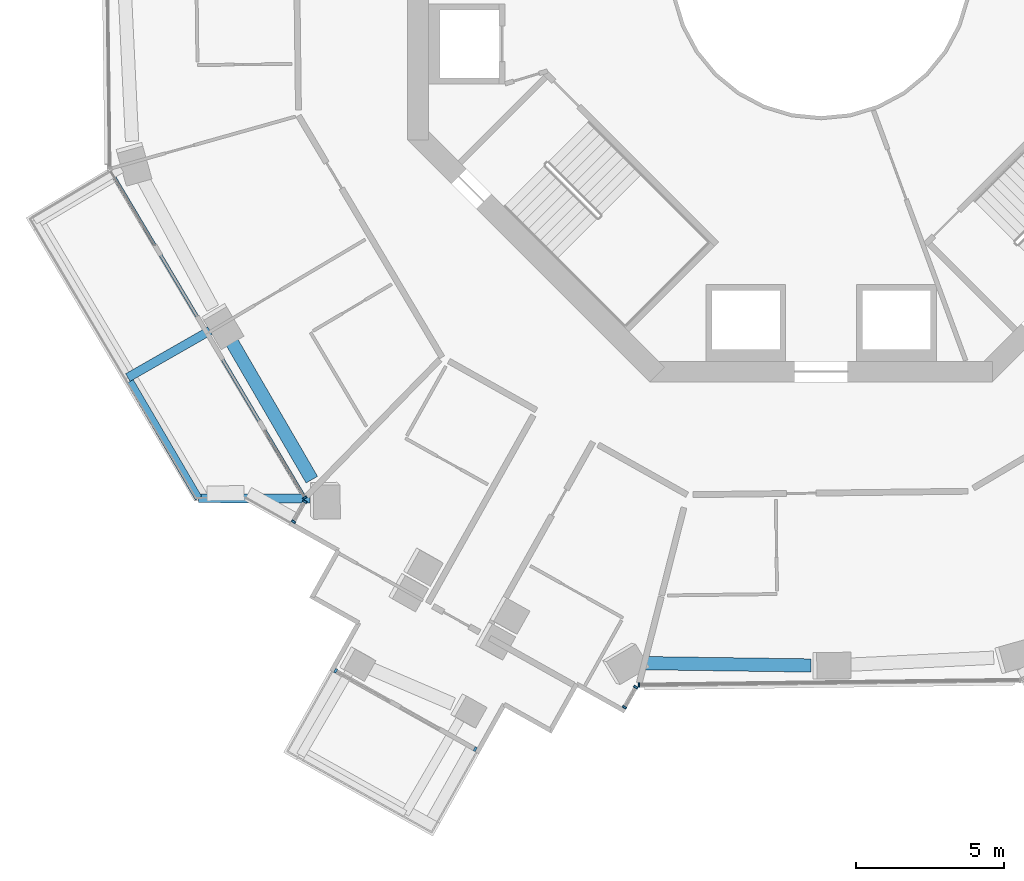
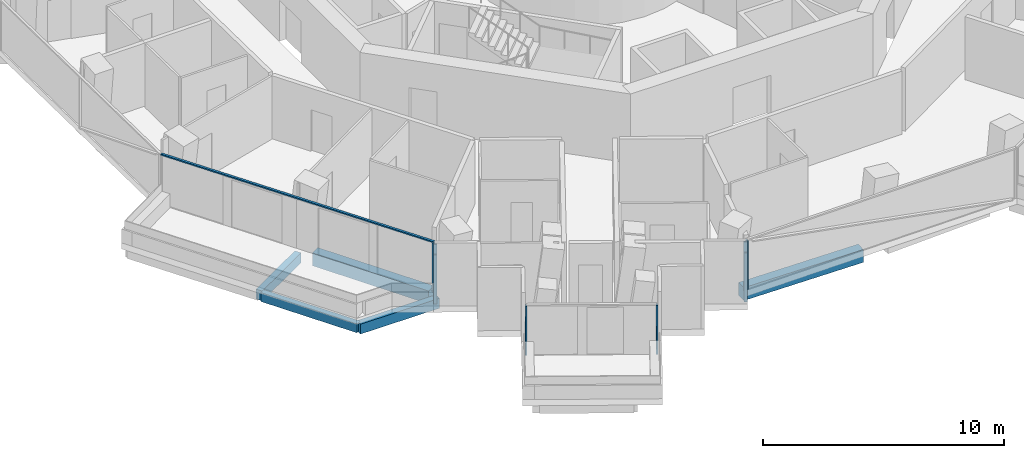
# One storey, part 2 of 21: 9 members, 5 beams, 5 elements without a shape of their own.
"""IFC4 building model written with IfcOpenShell, lengths in metres."""

from ifc_helpers import new_model, si_unit, direction, frame, origin, origin_2d, place, context, subcontext, project, spatial, rectangle, extrude, material, layer, layer_set, material_profile, profile_set, type_object, element, aggregate, save


model = new_model("IFC4")

# Units and contexts
model_context = context("Model", 3, precision=1e-05, world=origin(), true_north=direction((0.0, 1.0)))
body_context = subcontext(model_context, "Body", "Model", "MODEL_VIEW")
ifc_project = project(units=[si_unit("LENGTHUNIT", "METRE"), si_unit("AREAUNIT", "SQUARE_METRE"), si_unit("VOLUMEUNIT", "CUBIC_METRE"), si_unit("PLANEANGLEUNIT", "RADIAN"), si_unit("MASSUNIT", "GRAM", prefix="KILO")], contexts=[model_context])

# Site, building, storey
site_placement = place(None, origin())
site = spatial("IfcSite", under=ifc_project, at=site_placement, CompositionType="ELEMENT")
building_placement = place(site_placement, origin())
building = spatial("IfcBuilding", under=site, at=building_placement, Name="Verdalira Terraces Hotel", CompositionType="ELEMENT")
storey_placement = place(building_placement, frame((0.0, 0.0, 158.5)))
storey = spatial("IfcBuildingStorey", under=building, at=storey_placement, Name="L38", CompositionType="ELEMENT", Elevation=158.5)

# Beams
ifc_material_1 = material(Name="Concrete C40", Category="concrete")
ifc_material_profile_1 = material_profile(ifc_material_1, rectangle(XDim=0.300049, YDim=0.5, at=origin_2d()), Name="RC 300X500")
ifc_profile_set_1 = profile_set([ifc_material_profile_1], Name="Concrete C40")
beam_type_1 = type_object("IfcBeamType", Name="Balcony cantilever beam RC 300X500 C40", PredefinedType="BEAM", material=ifc_profile_set_1)
beam_1_placement = place(storey_placement, frame((-20.699707, -12.26001, -0.560059), z_axis=(-0.868144556, -0.496311424, 0.0), x_axis=(0.496311424, -0.868144556, 0.0)))
element("IfcBeam", 1, at=beam_1_placement, inside=storey, type_object=beam_type_1, Name="Balcony cantilever beam R13-2", PredefinedType="BEAM", context=body_context, shape_type="SweptSolid", body=[
    extrude(rectangle(XDim=0.300049, YDim=0.5, at=origin_2d()), origin(), (0.0, 0.0, 1.0), 3.200928),
])
beam_2_placement = place(storey_placement, frame((-17.311523, -17.949951, -0.560059), z_axis=(-0.999991152, 0.004206538, 0.0), x_axis=(-0.004206538, -0.999991152, 0.0)))
element("IfcBeam", 2, at=beam_2_placement, inside=storey, type_object=beam_type_1, Name="Balcony cantilever beam R13-3", PredefinedType="BEAM", context=body_context, shape_type="SweptSolid", body=[
    extrude(rectangle(XDim=0.300049, YDim=0.5, at=origin_2d()), origin(), (0.0, 0.0, 1.0), 3.772461),
])
ifc_material_2 = material(Name="Concrete C40", Category="concrete")
ifc_material_profile_2 = material_profile(ifc_material_2, rectangle(XDim=0.25, YDim=0.449951, at=origin_2d()), Name="RC 250X450")
ifc_profile_set_2 = profile_set([ifc_material_profile_2], Name="Concrete C40")
beam_type_2 = type_object("IfcBeamType", Name="Balcony edge beam RC 250X450 C40", PredefinedType="BEAM", material=ifc_profile_set_2)
beam_3_placement = place(storey_placement, frame((-23.402588, -13.978271, -0.534912), z_axis=(0.505667573, -0.862728408, 0.0), x_axis=(0.862728408, 0.505667573, 0.0)))
element("IfcBeam", 3, at=beam_3_placement, inside=storey, type_object=beam_type_2, Name="Balcony edge beam R13-2", PredefinedType="BEAM", context=body_context, shape_type="SweptSolid", body=[
    extrude(rectangle(XDim=0.25, YDim=0.449951, at=origin_2d()), origin(), (0.0, 0.0, 1.0), 4.585205),
])

# Curtain wall, member
ifc_material_3 = material(Name="Clear glass", Category="glass")
ifc_layer_1 = layer(ifc_material_3, 0.14990234375)
ifc_layer_set_1 = layer_set([ifc_layer_1], Name="CW1 curtain wall")
curtain_wall_type_1 = type_object("IfcCurtainWallType", Name="CW1 curtain wall", PredefinedType="NOTDEFINED", material=ifc_layer_set_1)
curtain_wall_1_placement = place(storey_placement, origin())
curtain_wall_1 = element("IfcCurtainWall", 4, at=curtain_wall_1_placement, inside=storey, type_object=curtain_wall_type_1, Name="CW1 curtain wall L38 edge 13", PredefinedType="NOTDEFINED")
ifc_material_4 = material(Name="Terracotta frame", Category="masonry")
ifc_material_profile_3 = material_profile(ifc_material_4, rectangle(XDim=0.060059, YDim=0.149902, at=origin_2d()), Name="MU 60x150")
ifc_profile_set_3 = profile_set([ifc_material_profile_3], Name="Terracotta frame")
member_type_1 = type_object("IfcMemberType", Name="CW1 mullion 60x150", PredefinedType="MULLION", material=ifc_profile_set_3)
member_1_placement = place(storey_placement, frame((-17.484619, -17.916016, 0.0), z_axis=(0.0, 0.0, 1.0), x_axis=(0.510843032, -0.859674006, 0.0)))
member_1 = element("IfcMember", 5, at=member_1_placement, type_object=member_type_1, Name="CW1 mullion", PredefinedType="MULLION", context=body_context, shape_type="SweptSolid", body=[
    extrude(rectangle(XDim=0.060059, YDim=0.149902, at=origin_2d()), origin(), (0.0, 0.0, 1.0), 2.475098),
])

curtain_wall_2_placement = place(storey_placement, origin())
curtain_wall_2 = element("IfcCurtainWall", 6, at=curtain_wall_2_placement, inside=storey, type_object=curtain_wall_type_1, Name="CW1 curtain wall L38 edge 25", PredefinedType="NOTDEFINED")
member_2_placement = place(storey_placement, frame((-6.165527, -24.262695, 0.0), z_axis=(0.0, 0.0, 1.0), x_axis=(0.999921044, 0.01256604, 0.0)))
member_2 = element("IfcMember", 7, at=member_2_placement, type_object=member_type_1, Name="CW1 mullion", PredefinedType="MULLION", context=body_context, shape_type="SweptSolid", body=[
    extrude(rectangle(XDim=0.060059, YDim=0.149902, at=origin_2d()), origin(), (0.0, 0.0, 1.0), 2.475098),
])
aggregate(curtain_wall_2, [member_2])

# Member
ifc_material_5 = material(Name="Terracotta frame", Category="masonry")
ifc_material_profile_4 = material_profile(ifc_material_5, rectangle(XDim=0.110107, YDim=0.064941, at=origin_2d()), Name="TR 65x110")
ifc_profile_set_4 = profile_set([ifc_material_profile_4], Name="Terracotta frame")
member_type_2 = type_object("IfcMemberType", Name="CW1 transom 65x110", PredefinedType="USERDEFINED", material=ifc_profile_set_4)
member_3_placement = place(storey_placement, frame((-24.089844, -6.800537, 2.507568), z_axis=(0.510856454, -0.85966603, 0.0), x_axis=(0.85966603, 0.510856454, 0.0)))
member_3 = element("IfcMember", 8, at=member_3_placement, type_object=member_type_2, Name="CW1 transom", ObjectType="TRANSOM", PredefinedType="USERDEFINED", context=body_context, shape_type="SweptSolid", body=[
    extrude(rectangle(XDim=0.110107, YDim=0.064941, at=origin_2d()), origin(), (0.0, 0.0, 1.0), 12.959717),
])

aggregate(curtain_wall_1, [member_1, member_3])

# Curtain wall, members
ifc_material_6 = material(Name="Clear glass", Category="glass")
ifc_layer_2 = layer(ifc_material_6, 0.14990234375)
ifc_layer_set_2 = layer_set([ifc_layer_2], Name="CW2 curtain wall")
curtain_wall_type_2 = type_object("IfcCurtainWallType", Name="CW2 curtain wall", PredefinedType="NOTDEFINED", material=ifc_layer_set_2)
curtain_wall_3_placement = place(storey_placement, origin())
curtain_wall_3 = element("IfcCurtainWall", 9, at=curtain_wall_3_placement, inside=storey, type_object=curtain_wall_type_2, Name="CW2 curtain wall L38 edge 14", PredefinedType="NOTDEFINED")
ifc_material_7 = material(Name="Terracotta frame", Category="masonry")
ifc_material_profile_5 = material_profile(ifc_material_7, rectangle(XDim=0.070068, YDim=0.149902, at=origin_2d()), Name="MU 70x150")
ifc_profile_set_5 = profile_set([ifc_material_profile_5], Name="Terracotta frame")
member_type_3 = type_object("IfcMemberType", Name="CW2 mullion 70x150", PredefinedType="MULLION", material=ifc_profile_set_5)
member_4_placement = place(storey_placement, frame((-17.485596, -18.047363, 0.0), z_axis=(0.0, 0.0, 1.0), x_axis=(-0.489078012, -0.872240046, 0.0)))
member_4 = element("IfcMember", 10, at=member_4_placement, type_object=member_type_3, Name="CW2 mullion", PredefinedType="MULLION", context=body_context, shape_type="SweptSolid", body=[
    extrude(rectangle(XDim=0.070068, YDim=0.149902, at=origin_2d()), origin(), (0.0, 0.0, 1.0), 2.475098),
])
member_5_placement = place(storey_placement, frame((-17.866943, -18.727539, 0.0), z_axis=(0.0, 0.0, 1.0), x_axis=(-0.489078012, -0.872240046, 0.0)))
member_5 = element("IfcMember", 11, at=member_5_placement, type_object=member_type_3, Name="CW2 mullion", PredefinedType="MULLION", context=body_context, shape_type="SweptSolid", body=[
    extrude(rectangle(XDim=0.070068, YDim=0.149902, at=origin_2d()), origin(), (0.0, 0.0, 1.0), 2.475098),
])
aggregate(curtain_wall_3, [member_4, member_5])

curtain_wall_4_placement = place(storey_placement, origin())
curtain_wall_4 = element("IfcCurtainWall", 12, at=curtain_wall_4_placement, inside=storey, type_object=curtain_wall_type_2, Name="CW2 curtain wall L38 edge 24", PredefinedType="NOTDEFINED")
member_6_placement = place(storey_placement, frame((-6.658691, -25.012207, 0.0), z_axis=(0.0, 0.0, 1.0), x_axis=(0.489078012, 0.872240046, 0.0)))
member_6 = element("IfcMember", 13, at=member_6_placement, type_object=member_type_3, Name="CW2 mullion", PredefinedType="MULLION", context=body_context, shape_type="SweptSolid", body=[
    extrude(rectangle(XDim=0.070068, YDim=0.149902, at=origin_2d()), origin(), (0.0, 0.0, 1.0), 2.475098),
])
member_7_placement = place(storey_placement, frame((-6.2771, -24.332031, 0.0), z_axis=(0.0, 0.0, 1.0), x_axis=(0.489078012, 0.872240046, 0.0)))
member_7 = element("IfcMember", 14, at=member_7_placement, type_object=member_type_3, Name="CW2 mullion", PredefinedType="MULLION", context=body_context, shape_type="SweptSolid", body=[
    extrude(rectangle(XDim=0.070068, YDim=0.149902, at=origin_2d()), origin(), (0.0, 0.0, 1.0), 2.475098),
])
aggregate(curtain_wall_4, [member_6, member_7])

ifc_material_8 = material(Name="Clear glass", Category="glass")
ifc_layer_3 = layer(ifc_material_8, 0.14990234375)
ifc_layer_set_3 = layer_set([ifc_layer_3], Name="CW3 curtain wall")
curtain_wall_type_3 = type_object("IfcCurtainWallType", Name="CW3 curtain wall", PredefinedType="NOTDEFINED", material=ifc_layer_set_3)
curtain_wall_5_placement = place(storey_placement, origin())
curtain_wall_5 = element("IfcCurtainWall", 15, at=curtain_wall_5_placement, inside=storey, type_object=curtain_wall_type_3, Name="CW3 curtain wall L38 edge 19", PredefinedType="NOTDEFINED")
ifc_material_9 = material(Name="Terracotta frame", Category="masonry")
ifc_material_profile_6 = material_profile(ifc_material_9, rectangle(XDim=0.080078, YDim=0.149902, at=origin_2d()), Name="MU 80x150")
ifc_profile_set_6 = profile_set([ifc_material_profile_6], Name="Terracotta frame")
member_type_4 = type_object("IfcMemberType", Name="CW3 mullion 80x150", PredefinedType="MULLION", material=ifc_profile_set_6)
member_8_placement = place(storey_placement, frame((-16.441162, -23.780518, 0.0), z_axis=(0.0, 0.0, 1.0), x_axis=(0.872240046, -0.489078012, 0.0)))
member_8 = element("IfcMember", 16, at=member_8_placement, type_object=member_type_4, Name="CW3 mullion", PredefinedType="MULLION", context=body_context, shape_type="SweptSolid", body=[
    extrude(rectangle(XDim=0.080078, YDim=0.149902, at=origin_2d()), origin(), (0.0, 0.0, 1.0), 2.475098),
])
member_9_placement = place(storey_placement, frame((-11.713623, -26.431396, 0.0), z_axis=(0.0, 0.0, 1.0), x_axis=(0.872240046, -0.489078012, 0.0)))
member_9 = element("IfcMember", 17, at=member_9_placement, type_object=member_type_4, Name="CW3 mullion", PredefinedType="MULLION", context=body_context, shape_type="SweptSolid", body=[
    extrude(rectangle(XDim=0.080078, YDim=0.149902, at=origin_2d()), origin(), (0.0, 0.0, 1.0), 2.475098),
])
aggregate(curtain_wall_5, [member_8, member_9])

# Beams
ifc_material_10 = material(Name="Concrete C50", Category="concrete")
ifc_material_profile_7 = material_profile(ifc_material_10, rectangle(XDim=0.449951, YDim=0.649902, at=origin_2d()), Name="RC 450X650")
ifc_profile_set_7 = profile_set([ifc_material_profile_7], Name="Concrete C50")
beam_type_3 = type_object("IfcBeamType", Name="Spandrel beam RC 450X650 C50", PredefinedType="SPANDREL", material=ifc_profile_set_7)
beam_4_placement = place(storey_placement, frame((-20.032959, -12.511719, -0.63501), z_axis=(0.502498767, -0.864577926, 0.0), x_axis=(0.864577926, 0.502498767, 0.0)))
element("IfcBeam", 18, at=beam_4_placement, inside=storey, type_object=beam_type_3, Name="Spandrel beam B07", PredefinedType="SPANDREL", context=body_context, shape_type="SweptSolid", body=[
    extrude(rectangle(XDim=0.449951, YDim=0.649902, at=origin_2d()), origin(), (0.0, 0.0, 1.0), 5.544678),
])
beam_5_placement = place(storey_placement, frame((-6.01001, -23.518066, -0.63501), z_axis=(0.999899724, -0.0141613, 0.0), x_axis=(0.0141613, 0.999899724, 0.0)))
element("IfcBeam", 19, at=beam_5_placement, inside=storey, type_object=beam_type_3, Name="Spandrel beam B09", PredefinedType="SPANDREL", context=body_context, shape_type="SweptSolid", body=[
    extrude(rectangle(XDim=0.449951, YDim=0.649902, at=origin_2d()), origin(), (0.0, 0.0, 1.0), 5.671875),
])

save(model, "model.ifc")
